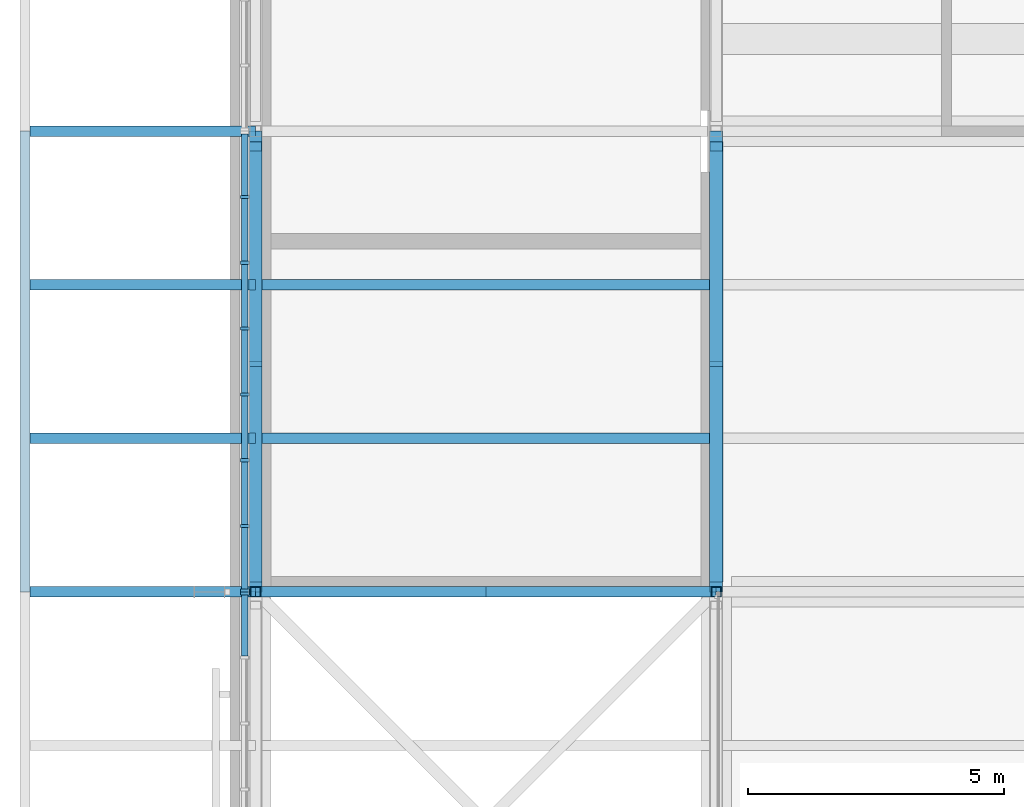
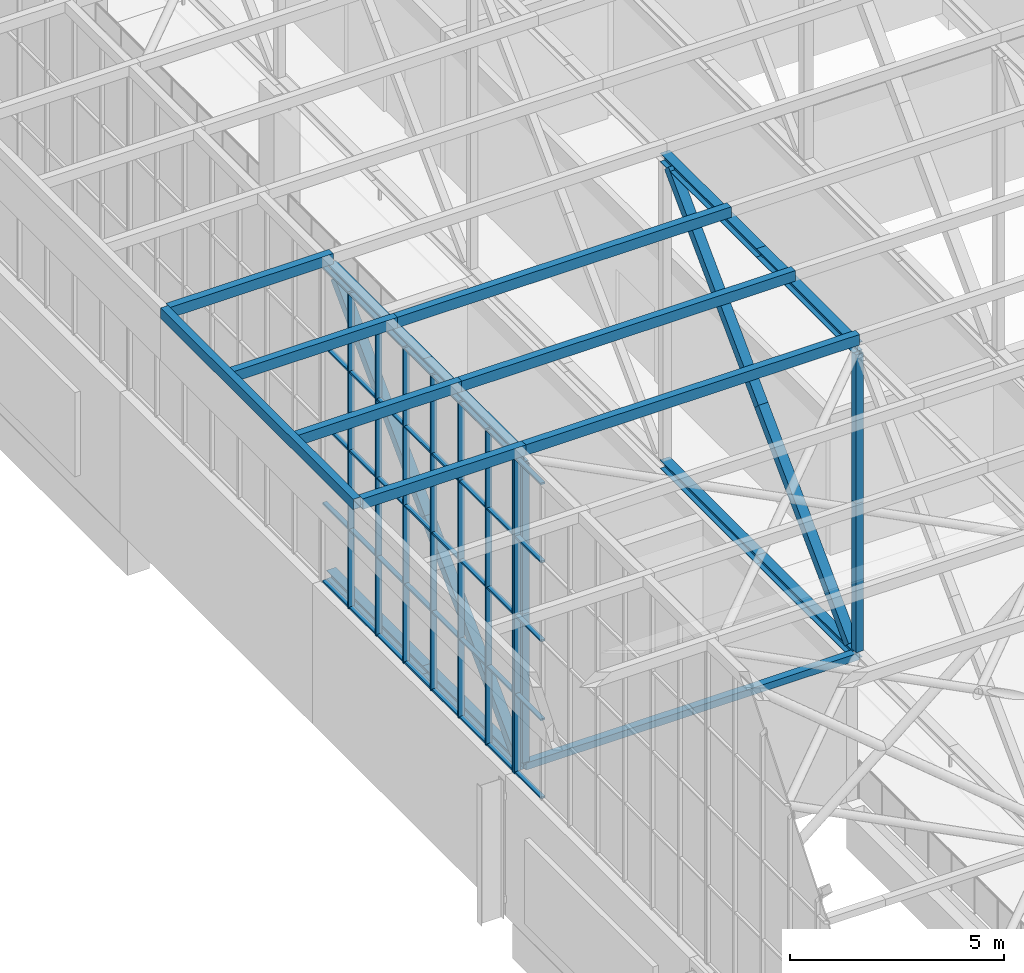
# One storey, part 53 of 646: 74 members, 2 elements without a shape of their own.
"""IFC4 building model written with IfcOpenShell, lengths in metres."""

from ifc_helpers import new_model, si_unit, direction, frame, origin, origin_2d, place, context, subcontext, project, spatial, rectangle, hollow_rectangle, i_section, extrude, material, material_profile, profile_set, type_object, element, aggregate, save


model = new_model("IFC4")

# Units and contexts
model_context = context("Model", 3, precision=1e-05, world=origin(), true_north=direction((0.0, 1.0)))
body_context = subcontext(model_context, "Body", "Model", "MODEL_VIEW")
ifc_project = project(units=[si_unit("LENGTHUNIT", "METRE"), si_unit("AREAUNIT", "SQUARE_METRE"), si_unit("VOLUMEUNIT", "CUBIC_METRE"), si_unit("PLANEANGLEUNIT", "RADIAN"), si_unit("MASSUNIT", "GRAM", prefix="KILO")], contexts=[model_context])

# Site, building, storey
site_placement = place(None, origin())
site = spatial("IfcSite", under=ifc_project, at=site_placement, CompositionType="ELEMENT")
building_placement = place(site_placement, origin())
building = spatial("IfcBuilding", under=site, at=building_placement, Name="Silverbay Arena", CompositionType="ELEMENT")
storey_placement = place(building_placement, frame((0.0, 0.0, 33.5)))
storey = spatial("IfcBuildingStorey", under=building, at=storey_placement, Name="L05", CompositionType="ELEMENT", Elevation=33.5)

# Members
ifc_material_1 = material(Name="Steel S355", Category="steel")
ifc_material_profile_1 = material_profile(ifc_material_1, hollow_rectangle(XDim=0.199951171875, YDim=0.199951171875, WallThickness=0.008056640625, at=origin_2d()), Name="SHS 200x200x8")
ifc_profile_set_1 = profile_set([ifc_material_profile_1], Name="Steel S355")
member_type_1 = type_object("IfcMemberType", Name="Bracing strut SHS 200x200x8", PredefinedType="STRUT", material=ifc_profile_set_1)
for number, where, z_axis, x_axis, name in (
    (1, (54.0, 90.0, 4.126953125), (1.0, 0.0, 0.0), (0.0, 1.0, 0.0), "ROOF BRACING strut 7-8 line 10a"),
    (2, (58.5, 90.0, 4.126953125), (1.0, 0.0, 0.0), (0.0, 1.0, 0.0), "ROOF BRACING strut 7-8 line 10b"),
):
    element("IfcMember", number, at=place(storey_placement, frame(where, z_axis=z_axis, x_axis=x_axis)), inside=storey, type_object=member_type_1, Name=name, PredefinedType="STRUT", context=body_context, shape_type="SweptSolid", body=[
        extrude(hollow_rectangle(XDim=0.199951171875, YDim=0.199951171875, WallThickness=0.008056640625, at=origin_2d()), origin(), (0.0, 0.0, 1.0), 4.5),
    ])

# Curtain wall, member
ifc_material_2 = material(Name="Aluminium framed glazing", Category="aluminium")
curtain_wall_type = type_object("IfcCurtainWallType", Name="Curtain wall clerestory 9000 x 9000", PredefinedType="NOTDEFINED", material=ifc_material_2)
curtain_wall_1_placement = place(storey_placement, origin())
curtain_wall_1 = element("IfcCurtainWall", 3, at=curtain_wall_1_placement, inside=storey, type_object=curtain_wall_type, Name="ROOF GABLE CLERESTORY CURTAIN WALL west bay 09", PredefinedType="NOTDEFINED")
ifc_material_3 = material(Name="Aluminium", Category="aluminium")
ifc_material_profile_2 = material_profile(ifc_material_3, rectangle(XDim=0.159912109375, YDim=0.06005859375, at=origin_2d()), Name="Mullion 60 x 160")
ifc_profile_set_2 = profile_set([ifc_material_profile_2], Name="Aluminium")
member_type_2 = type_object("IfcMemberType", Name="Mullion 60 x 160", PredefinedType="MULLION", material=ifc_profile_set_2)
member_1_placement = place(storey_placement, frame((53.7900390625, 89.969970703125, 4.0), z_axis=(0.0, 0.0, 1.0), x_axis=(-1.0, 0.0, 0.0)))
member_1 = element("IfcMember", 4, at=member_1_placement, type_object=member_type_2, Name="CW60 mullion 8", PredefinedType="MULLION", context=body_context, shape_type="SweptSolid", body=[
    extrude(rectangle(XDim=0.159912109375, YDim=0.06005859375, at=origin_2d()), origin(), (0.0, 0.0, 1.0), 9.0),
])

# Curtain wall, members
curtain_wall_2_placement = place(storey_placement, origin())
curtain_wall_2 = element("IfcCurtainWall", 5, at=curtain_wall_2_placement, inside=storey, type_object=curtain_wall_type, Name="ROOF GABLE CLERESTORY CURTAIN WALL west bay 10", PredefinedType="NOTDEFINED")
member_2_placement = place(storey_placement, frame((53.7900390625, 90.030029296875, 4.0), z_axis=(0.0, 0.0, 1.0), x_axis=(-1.0, 0.0, 0.0)))
member_2 = element("IfcMember", 6, at=member_2_placement, type_object=member_type_2, Name="CW60 mullion 1", PredefinedType="MULLION", context=body_context, shape_type="SweptSolid", body=[
    extrude(rectangle(XDim=0.159912109375, YDim=0.06005859375, at=origin_2d()), origin(), (0.0, 0.0, 1.0), 9.0),
])
member_3_placement = place(storey_placement, frame((53.7900390625, 91.28564453125, 4.0), z_axis=(0.0, 0.0, 1.0), x_axis=(-1.0, 0.0, 0.0)))
member_3 = element("IfcMember", 7, at=member_3_placement, type_object=member_type_2, Name="CW60 mullion 2", PredefinedType="MULLION", context=body_context, shape_type="SweptSolid", body=[
    extrude(rectangle(XDim=0.159912109375, YDim=0.06005859375, at=origin_2d()), origin(), (0.0, 0.0, 1.0), 9.0),
])
member_4_placement = place(storey_placement, frame((53.7900390625, 92.571533203125, 4.0), z_axis=(0.0, 0.0, 1.0), x_axis=(-1.0, 0.0, 0.0)))
member_4 = element("IfcMember", 8, at=member_4_placement, type_object=member_type_2, Name="CW60 mullion 3", PredefinedType="MULLION", context=body_context, shape_type="SweptSolid", body=[
    extrude(rectangle(XDim=0.159912109375, YDim=0.06005859375, at=origin_2d()), origin(), (0.0, 0.0, 1.0), 9.0),
])
member_5_placement = place(storey_placement, frame((53.7900390625, 93.857177734375, 4.0), z_axis=(0.0, 0.0, 1.0), x_axis=(-1.0, 0.0, 0.0)))
member_5 = element("IfcMember", 9, at=member_5_placement, type_object=member_type_2, Name="CW60 mullion 4", PredefinedType="MULLION", context=body_context, shape_type="SweptSolid", body=[
    extrude(rectangle(XDim=0.159912109375, YDim=0.06005859375, at=origin_2d()), origin(), (0.0, 0.0, 1.0), 9.0),
])
member_6_placement = place(storey_placement, frame((53.7900390625, 95.142822265625, 4.0), z_axis=(0.0, 0.0, 1.0), x_axis=(-1.0, 0.0, 0.0)))
member_6 = element("IfcMember", 10, at=member_6_placement, type_object=member_type_2, Name="CW60 mullion 5", PredefinedType="MULLION", context=body_context, shape_type="SweptSolid", body=[
    extrude(rectangle(XDim=0.159912109375, YDim=0.06005859375, at=origin_2d()), origin(), (0.0, 0.0, 1.0), 9.0),
])
member_7_placement = place(storey_placement, frame((53.7900390625, 96.428466796875, 4.0), z_axis=(0.0, 0.0, 1.0), x_axis=(-1.0, 0.0, 0.0)))
member_7 = element("IfcMember", 11, at=member_7_placement, type_object=member_type_2, Name="CW60 mullion 6", PredefinedType="MULLION", context=body_context, shape_type="SweptSolid", body=[
    extrude(rectangle(XDim=0.159912109375, YDim=0.06005859375, at=origin_2d()), origin(), (0.0, 0.0, 1.0), 9.0),
])
member_8_placement = place(storey_placement, frame((53.7900390625, 97.71435546875, 4.0), z_axis=(0.0, 0.0, 1.0), x_axis=(-1.0, 0.0, 0.0)))
member_8 = element("IfcMember", 12, at=member_8_placement, type_object=member_type_2, Name="CW60 mullion 7", PredefinedType="MULLION", context=body_context, shape_type="SweptSolid", body=[
    extrude(rectangle(XDim=0.159912109375, YDim=0.06005859375, at=origin_2d()), origin(), (0.0, 0.0, 1.0), 9.0),
])

# Members
ifc_material_4 = material(Name="Steel S355", Category="steel")
ifc_material_profile_3 = material_profile(ifc_material_4, hollow_rectangle(XDim=0.199951171875, YDim=0.300048828125, WallThickness=0.008056640625, at=origin_2d()), Name="RHS 300x200x8")
ifc_profile_set_3 = profile_set([ifc_material_profile_3], Name="Steel S355")
member_type_3 = type_object("IfcMemberType", Name="Purlin RHS 300x200x8", PredefinedType="PURLIN", material=ifc_profile_set_3)
for number, where, z_axis, x_axis, name in (
    (13, (54.0, 90.0, 13.14990234375), (1.0, 0.0, 0.0), (0.0, 1.0, 0.0), "ROOF PURLIN 7-8 line 28"),
    (14, (54.0, 93.0, 13.14990234375), (1.0, 0.0, 0.0), (0.0, 1.0, 0.0), "ROOF PURLIN 7-8 line 29"),
    (15, (54.0, 96.0, 13.14990234375), (1.0, 0.0, 0.0), (0.0, 1.0, 0.0), "ROOF PURLIN 7-8 line 30"),
):
    element("IfcMember", number, at=place(storey_placement, frame(where, z_axis=z_axis, x_axis=x_axis)), inside=storey, type_object=member_type_3, Name=name, PredefinedType="PURLIN", context=body_context, shape_type="SweptSolid", body=[
        extrude(hollow_rectangle(XDim=0.199951171875, YDim=0.300048828125, WallThickness=0.008056640625, at=origin_2d()), origin(), (0.0, 0.0, 1.0), 9.0),
    ])
for number, where, z_axis, x_axis, name in (
    (16, (49.60009765625, 90.0, 13.14990234375), (1.0, 0.0, 0.0), (0.0, 1.0, 0.0), "ROOF PURLIN west eave line 28"),
    (17, (49.60009765625, 93.0, 13.14990234375), (1.0, 0.0, 0.0), (0.0, 1.0, 0.0), "ROOF PURLIN west eave line 29"),
    (18, (49.60009765625, 96.0, 13.14990234375), (1.0, 0.0, 0.0), (0.0, 1.0, 0.0), "ROOF PURLIN west eave line 30"),
    (19, (49.60009765625, 99.0, 13.14990234375), (1.0, 0.0, 0.0), (0.0, 1.0, 0.0), "ROOF PURLIN west eave line 31"),
):
    element("IfcMember", number, at=place(storey_placement, frame(where, z_axis=z_axis, x_axis=x_axis)), inside=storey, type_object=member_type_3, Name=name, PredefinedType="PURLIN", context=body_context, shape_type="SweptSolid", body=[
        extrude(hollow_rectangle(XDim=0.199951171875, YDim=0.300048828125, WallThickness=0.008056640625, at=origin_2d()), origin(), (0.0, 0.0, 1.0), 4.39990234375),
    ])
member_9_placement = place(storey_placement, frame((49.5, 90.0, 13.14990234375), z_axis=(0.0, 1.0, 0.0), x_axis=(-1.0, 0.0, 0.0)))
element("IfcMember", 20, at=member_9_placement, inside=storey, type_object=member_type_3, Name="ROOF PURLIN west eave edge 10", PredefinedType="PURLIN", context=body_context, shape_type="SweptSolid", body=[
    extrude(hollow_rectangle(XDim=0.199951171875, YDim=0.300048828125, WallThickness=0.008056640625, at=origin_2d()), origin(), (0.0, 0.0, 1.0), 9.0),
])
ifc_material_5 = material(Name="Steel S355", Category="steel")
ifc_material_profile_4 = material_profile(ifc_material_5, i_section(OverallWidth=0.254638671875, OverallDepth=0.254150390625, WebThickness=0.008544921875, FlangeThickness=0.01416015625, at=origin_2d()), Name="UC 254x254x73")
ifc_profile_set_4 = profile_set([ifc_material_profile_4], Name="Steel S355")
member_type_4 = type_object("IfcMemberType", Name="Short-span bottom chord UC 254x254x73", PredefinedType="CHORD", material=ifc_profile_set_4)
for number, where, z_axis, x_axis, name in (
    (21, (54.0, 90.0, 4.126953125), (0.0, 1.0, 0.0), (-1.0, 0.0, 0.0), "ROOF TRUSS 7 bottom chord 10a"),
    (22, (54.0, 94.5, 4.126953125), (0.0, 1.0, 0.0), (-1.0, 0.0, 0.0), "ROOF TRUSS 7 bottom chord 10b"),
    (23, (63.0, 90.0, 4.126953125), (0.0, 1.0, 0.0), (-1.0, 0.0, 0.0), "ROOF TRUSS 8 bottom chord 10a"),
    (24, (63.0, 94.5, 4.126953125), (0.0, 1.0, 0.0), (-1.0, 0.0, 0.0), "ROOF TRUSS 8 bottom chord 10b"),
):
    element("IfcMember", number, at=place(storey_placement, frame(where, z_axis=z_axis, x_axis=x_axis)), inside=storey, type_object=member_type_4, Name=name, PredefinedType="CHORD", context=body_context, shape_type="SweptSolid", body=[
        extrude(i_section(OverallWidth=0.254638671875, OverallDepth=0.254150390625, WebThickness=0.008544921875, FlangeThickness=0.01416015625, at=origin_2d()), origin(), (0.0, 0.0, 1.0), 4.5),
    ])
ifc_material_6 = material(Name="Steel S355", Category="steel")
ifc_material_profile_5 = material_profile(ifc_material_6, i_section(OverallWidth=0.254638671875, OverallDepth=0.254150390625, WebThickness=0.008544921875, FlangeThickness=0.01416015625, at=origin_2d()), Name="UC 254x254x73")
ifc_profile_set_5 = profile_set([ifc_material_profile_5], Name="Steel S355")
member_type_5 = type_object("IfcMemberType", Name="Short-span top chord UC 254x254x73", PredefinedType="CHORD", material=ifc_profile_set_5)
for number, where, z_axis, x_axis, name in (
    (25, (54.0, 90.0, 12.873046875), (0.0, 1.0, 0.0), (-1.0, 0.0, 0.0), "ROOF TRUSS 7 top chord 10a"),
    (26, (54.0, 94.5, 12.873046875), (0.0, 1.0, 0.0), (-1.0, 0.0, 0.0), "ROOF TRUSS 7 top chord 10b"),
    (27, (63.0, 90.0, 12.873046875), (0.0, 1.0, 0.0), (-1.0, 0.0, 0.0), "ROOF TRUSS 8 top chord 10a"),
    (28, (63.0, 94.5, 12.873046875), (0.0, 1.0, 0.0), (-1.0, 0.0, 0.0), "ROOF TRUSS 8 top chord 10b"),
):
    element("IfcMember", number, at=place(storey_placement, frame(where, z_axis=z_axis, x_axis=x_axis)), inside=storey, type_object=member_type_5, Name=name, PredefinedType="CHORD", context=body_context, shape_type="SweptSolid", body=[
        extrude(i_section(OverallWidth=0.254638671875, OverallDepth=0.254150390625, WebThickness=0.008544921875, FlangeThickness=0.01416015625, at=origin_2d()), origin(), (0.0, 0.0, 1.0), 4.5),
    ])
ifc_material_7 = material(Name="Steel S355", Category="steel")
ifc_material_profile_6 = material_profile(ifc_material_7, hollow_rectangle(XDim=0.260009765625, YDim=0.260009765625, WallThickness=0.010009765625, at=origin_2d()), Name="SHS 260x260x10")
ifc_profile_set_6 = profile_set([ifc_material_profile_6], Name="Steel S355")
member_type_6 = type_object("IfcMemberType", Name="Short-span truss diagonal SHS 260x260x10", PredefinedType="BRACE", material=ifc_profile_set_6)
for number, where, z_axis, x_axis, name in (
    (29, (54.0, 98.70068359375, 12.745849609375), (0.0, -0.703728402193, -0.710469095701), (1.0, 0.0, 0.0), "ROOF TRUSS 7 diagonal 10a"),
    (30, (54.0, 94.4951171875, 8.5), (0.0, -0.703728402193, -0.710469095701), (1.0, 0.0, 0.0), "ROOF TRUSS 7 diagonal 10b"),
    (31, (63.0, 98.70068359375, 12.745849609375), (0.0, -0.703728402193, -0.710469095701), (1.0, 0.0, 0.0), "ROOF TRUSS 8 diagonal 10a"),
    (32, (63.0, 94.4951171875, 8.5), (0.0, -0.703728402193, -0.710469095701), (1.0, 0.0, 0.0), "ROOF TRUSS 8 diagonal 10b"),
):
    element("IfcMember", number, at=place(storey_placement, frame(where, z_axis=z_axis, x_axis=x_axis)), inside=storey, type_object=member_type_6, Name=name, PredefinedType="BRACE", context=body_context, shape_type="SweptSolid", body=[
        extrude(hollow_rectangle(XDim=0.260009765625, YDim=0.260009765625, WallThickness=0.010009765625, at=origin_2d()), origin(), (0.0, 0.0, 1.0), 5.97607421875),
    ])
ifc_material_8 = material(Name="Steel S355", Category="steel")
ifc_material_profile_7 = material_profile(ifc_material_8, hollow_rectangle(XDim=0.199951171875, YDim=0.199951171875, WallThickness=0.008056640625, at=origin_2d()), Name="SHS 200x200x8")
ifc_profile_set_7 = profile_set([ifc_material_profile_7], Name="Steel S355")
member_type_7 = type_object("IfcMemberType", Name="Short-span truss vertical SHS 200x200x8", PredefinedType="STRUT", material=ifc_profile_set_7)
for number, where, z_axis, x_axis, name in (
    (33, (54.0, 90.0, 4.254150390625), (0.0, 0.0, 1.0), (1.0, 0.0, 0.0), "ROOF TRUSS 7 vertical 10a"),
    (34, (54.0, 90.0, 8.5), (0.0, 0.0, 1.0), (1.0, 0.0, 0.0), "ROOF TRUSS 7 vertical 10b"),
    (35, (63.0, 90.0, 4.254150390625), (0.0, 0.0, 1.0), (1.0, 0.0, 0.0), "ROOF TRUSS 8 vertical 10a"),
    (36, (63.0, 90.0, 8.5), (0.0, 0.0, 1.0), (1.0, 0.0, 0.0), "ROOF TRUSS 8 vertical 10b"),
):
    element("IfcMember", number, at=place(storey_placement, frame(where, z_axis=z_axis, x_axis=x_axis)), inside=storey, type_object=member_type_7, Name=name, PredefinedType="STRUT", context=body_context, shape_type="SweptSolid", body=[
        extrude(hollow_rectangle(XDim=0.199951171875, YDim=0.199951171875, WallThickness=0.008056640625, at=origin_2d()), origin(), (0.0, 0.0, 1.0), 4.245849609375),
    ])

# Member
ifc_material_9 = material(Name="Aluminium", Category="aluminium")
ifc_material_profile_8 = material_profile(ifc_material_9, rectangle(XDim=0.1201171875, YDim=0.050048828125, at=origin_2d()), Name="Transom 50 x 120")
ifc_profile_set_8 = profile_set([ifc_material_profile_8], Name="Aluminium")
member_type_8 = type_object("IfcMemberType", Name="Transom 50 x 120", PredefinedType="USERDEFINED", material=ifc_profile_set_8)
member_10_placement = place(storey_placement, frame((53.7900390625, 88.744384765625, 4.02490234375), z_axis=(0.0, 1.0, 0.0), x_axis=(-1.0, 0.0, 0.0)))
member_10 = element("IfcMember", 37, at=member_10_placement, type_object=member_type_8, Name="CW60 transom 7.1", ObjectType="TRANSOM", PredefinedType="USERDEFINED", context=body_context, shape_type="SweptSolid", body=[
    extrude(rectangle(XDim=0.1201171875, YDim=0.050048828125, at=origin_2d()), origin(), (0.0, 0.0, 1.0), 1.195556640625),
])

member_11_placement = place(storey_placement, frame((53.7900390625, 88.744384765625, 6.25), z_axis=(0.0, 1.0, 0.0), x_axis=(-1.0, 0.0, 0.0)))
member_11 = element("IfcMember", 38, at=member_11_placement, type_object=member_type_8, Name="CW60 transom 7.2", ObjectType="TRANSOM", PredefinedType="USERDEFINED", context=body_context, shape_type="SweptSolid", body=[
    extrude(rectangle(XDim=0.1201171875, YDim=0.050048828125, at=origin_2d()), origin(), (0.0, 0.0, 1.0), 1.195556640625),
])

member_12_placement = place(storey_placement, frame((53.7900390625, 88.744384765625, 8.5), z_axis=(0.0, 1.0, 0.0), x_axis=(-1.0, 0.0, 0.0)))
member_12 = element("IfcMember", 39, at=member_12_placement, type_object=member_type_8, Name="CW60 transom 7.3", ObjectType="TRANSOM", PredefinedType="USERDEFINED", context=body_context, shape_type="SweptSolid", body=[
    extrude(rectangle(XDim=0.1201171875, YDim=0.050048828125, at=origin_2d()), origin(), (0.0, 0.0, 1.0), 1.195556640625),
])

member_13_placement = place(storey_placement, frame((53.7900390625, 88.744384765625, 10.75), z_axis=(0.0, 1.0, 0.0), x_axis=(-1.0, 0.0, 0.0)))
member_13 = element("IfcMember", 40, at=member_13_placement, type_object=member_type_8, Name="CW60 transom 7.4", ObjectType="TRANSOM", PredefinedType="USERDEFINED", context=body_context, shape_type="SweptSolid", body=[
    extrude(rectangle(XDim=0.1201171875, YDim=0.050048828125, at=origin_2d()), origin(), (0.0, 0.0, 1.0), 1.195556640625),
])

member_14_placement = place(storey_placement, frame((53.7900390625, 88.744384765625, 12.97509765625), z_axis=(0.0, 1.0, 0.0), x_axis=(-1.0, 0.0, 0.0)))
member_14 = element("IfcMember", 41, at=member_14_placement, type_object=member_type_8, Name="CW60 transom 7.5", ObjectType="TRANSOM", PredefinedType="USERDEFINED", context=body_context, shape_type="SweptSolid", body=[
    extrude(rectangle(XDim=0.1201171875, YDim=0.050048828125, at=origin_2d()), origin(), (0.0, 0.0, 1.0), 1.195556640625),
])

aggregate(curtain_wall_1, [member_1, member_10, member_11, member_12, member_13, member_14])

member_15_placement = place(storey_placement, frame((53.7900390625, 90.06005859375, 4.02490234375), z_axis=(0.0, 1.0, 0.0), x_axis=(-1.0, 0.0, 0.0)))
member_15 = element("IfcMember", 42, at=member_15_placement, type_object=member_type_8, Name="CW60 transom 1.1", ObjectType="TRANSOM", PredefinedType="USERDEFINED", context=body_context, shape_type="SweptSolid", body=[
    extrude(rectangle(XDim=0.1201171875, YDim=0.050048828125, at=origin_2d()), origin(), (0.0, 0.0, 1.0), 1.195556640625),
])

member_16_placement = place(storey_placement, frame((53.7900390625, 90.06005859375, 6.25), z_axis=(0.0, 1.0, 0.0), x_axis=(-1.0, 0.0, 0.0)))
member_16 = element("IfcMember", 43, at=member_16_placement, type_object=member_type_8, Name="CW60 transom 1.2", ObjectType="TRANSOM", PredefinedType="USERDEFINED", context=body_context, shape_type="SweptSolid", body=[
    extrude(rectangle(XDim=0.1201171875, YDim=0.050048828125, at=origin_2d()), origin(), (0.0, 0.0, 1.0), 1.195556640625),
])

member_17_placement = place(storey_placement, frame((53.7900390625, 90.06005859375, 8.5), z_axis=(0.0, 1.0, 0.0), x_axis=(-1.0, 0.0, 0.0)))
member_17 = element("IfcMember", 44, at=member_17_placement, type_object=member_type_8, Name="CW60 transom 1.3", ObjectType="TRANSOM", PredefinedType="USERDEFINED", context=body_context, shape_type="SweptSolid", body=[
    extrude(rectangle(XDim=0.1201171875, YDim=0.050048828125, at=origin_2d()), origin(), (0.0, 0.0, 1.0), 1.195556640625),
])

member_18_placement = place(storey_placement, frame((53.7900390625, 90.06005859375, 10.75), z_axis=(0.0, 1.0, 0.0), x_axis=(-1.0, 0.0, 0.0)))
member_18 = element("IfcMember", 45, at=member_18_placement, type_object=member_type_8, Name="CW60 transom 1.4", ObjectType="TRANSOM", PredefinedType="USERDEFINED", context=body_context, shape_type="SweptSolid", body=[
    extrude(rectangle(XDim=0.1201171875, YDim=0.050048828125, at=origin_2d()), origin(), (0.0, 0.0, 1.0), 1.195556640625),
])

member_19_placement = place(storey_placement, frame((53.7900390625, 90.06005859375, 12.97509765625), z_axis=(0.0, 1.0, 0.0), x_axis=(-1.0, 0.0, 0.0)))
member_19 = element("IfcMember", 46, at=member_19_placement, type_object=member_type_8, Name="CW60 transom 1.5", ObjectType="TRANSOM", PredefinedType="USERDEFINED", context=body_context, shape_type="SweptSolid", body=[
    extrude(rectangle(XDim=0.1201171875, YDim=0.050048828125, at=origin_2d()), origin(), (0.0, 0.0, 1.0), 1.195556640625),
])

member_20_placement = place(storey_placement, frame((53.7900390625, 91.315673828125, 4.02490234375), z_axis=(0.0, 1.0, 0.0), x_axis=(-1.0, 0.0, 0.0)))
member_20 = element("IfcMember", 47, at=member_20_placement, type_object=member_type_8, Name="CW60 transom 2.1", ObjectType="TRANSOM", PredefinedType="USERDEFINED", context=body_context, shape_type="SweptSolid", body=[
    extrude(rectangle(XDim=0.1201171875, YDim=0.050048828125, at=origin_2d()), origin(), (0.0, 0.0, 1.0), 1.225830078125),
])

member_21_placement = place(storey_placement, frame((53.7900390625, 91.315673828125, 6.25), z_axis=(0.0, 1.0, 0.0), x_axis=(-1.0, 0.0, 0.0)))
member_21 = element("IfcMember", 48, at=member_21_placement, type_object=member_type_8, Name="CW60 transom 2.2", ObjectType="TRANSOM", PredefinedType="USERDEFINED", context=body_context, shape_type="SweptSolid", body=[
    extrude(rectangle(XDim=0.1201171875, YDim=0.050048828125, at=origin_2d()), origin(), (0.0, 0.0, 1.0), 1.225830078125),
])

member_22_placement = place(storey_placement, frame((53.7900390625, 91.315673828125, 8.5), z_axis=(0.0, 1.0, 0.0), x_axis=(-1.0, 0.0, 0.0)))
member_22 = element("IfcMember", 49, at=member_22_placement, type_object=member_type_8, Name="CW60 transom 2.3", ObjectType="TRANSOM", PredefinedType="USERDEFINED", context=body_context, shape_type="SweptSolid", body=[
    extrude(rectangle(XDim=0.1201171875, YDim=0.050048828125, at=origin_2d()), origin(), (0.0, 0.0, 1.0), 1.225830078125),
])

member_23_placement = place(storey_placement, frame((53.7900390625, 91.315673828125, 10.75), z_axis=(0.0, 1.0, 0.0), x_axis=(-1.0, 0.0, 0.0)))
member_23 = element("IfcMember", 50, at=member_23_placement, type_object=member_type_8, Name="CW60 transom 2.4", ObjectType="TRANSOM", PredefinedType="USERDEFINED", context=body_context, shape_type="SweptSolid", body=[
    extrude(rectangle(XDim=0.1201171875, YDim=0.050048828125, at=origin_2d()), origin(), (0.0, 0.0, 1.0), 1.225830078125),
])

member_24_placement = place(storey_placement, frame((53.7900390625, 91.315673828125, 12.97509765625), z_axis=(0.0, 1.0, 0.0), x_axis=(-1.0, 0.0, 0.0)))
member_24 = element("IfcMember", 51, at=member_24_placement, type_object=member_type_8, Name="CW60 transom 2.5", ObjectType="TRANSOM", PredefinedType="USERDEFINED", context=body_context, shape_type="SweptSolid", body=[
    extrude(rectangle(XDim=0.1201171875, YDim=0.050048828125, at=origin_2d()), origin(), (0.0, 0.0, 1.0), 1.225830078125),
])

member_25_placement = place(storey_placement, frame((53.7900390625, 92.601318359375, 4.02490234375), z_axis=(0.0, 1.0, 0.0), x_axis=(-1.0, 0.0, 0.0)))
member_25 = element("IfcMember", 52, at=member_25_placement, type_object=member_type_8, Name="CW60 transom 3.1", ObjectType="TRANSOM", PredefinedType="USERDEFINED", context=body_context, shape_type="SweptSolid", body=[
    extrude(rectangle(XDim=0.1201171875, YDim=0.050048828125, at=origin_2d()), origin(), (0.0, 0.0, 1.0), 1.225830078125),
])

member_26_placement = place(storey_placement, frame((53.7900390625, 92.601318359375, 6.25), z_axis=(0.0, 1.0, 0.0), x_axis=(-1.0, 0.0, 0.0)))
member_26 = element("IfcMember", 53, at=member_26_placement, type_object=member_type_8, Name="CW60 transom 3.2", ObjectType="TRANSOM", PredefinedType="USERDEFINED", context=body_context, shape_type="SweptSolid", body=[
    extrude(rectangle(XDim=0.1201171875, YDim=0.050048828125, at=origin_2d()), origin(), (0.0, 0.0, 1.0), 1.225830078125),
])

member_27_placement = place(storey_placement, frame((53.7900390625, 92.601318359375, 8.5), z_axis=(0.0, 1.0, 0.0), x_axis=(-1.0, 0.0, 0.0)))
member_27 = element("IfcMember", 54, at=member_27_placement, type_object=member_type_8, Name="CW60 transom 3.3", ObjectType="TRANSOM", PredefinedType="USERDEFINED", context=body_context, shape_type="SweptSolid", body=[
    extrude(rectangle(XDim=0.1201171875, YDim=0.050048828125, at=origin_2d()), origin(), (0.0, 0.0, 1.0), 1.225830078125),
])

member_28_placement = place(storey_placement, frame((53.7900390625, 92.601318359375, 10.75), z_axis=(0.0, 1.0, 0.0), x_axis=(-1.0, 0.0, 0.0)))
member_28 = element("IfcMember", 55, at=member_28_placement, type_object=member_type_8, Name="CW60 transom 3.4", ObjectType="TRANSOM", PredefinedType="USERDEFINED", context=body_context, shape_type="SweptSolid", body=[
    extrude(rectangle(XDim=0.1201171875, YDim=0.050048828125, at=origin_2d()), origin(), (0.0, 0.0, 1.0), 1.225830078125),
])

member_29_placement = place(storey_placement, frame((53.7900390625, 92.601318359375, 12.97509765625), z_axis=(0.0, 1.0, 0.0), x_axis=(-1.0, 0.0, 0.0)))
member_29 = element("IfcMember", 56, at=member_29_placement, type_object=member_type_8, Name="CW60 transom 3.5", ObjectType="TRANSOM", PredefinedType="USERDEFINED", context=body_context, shape_type="SweptSolid", body=[
    extrude(rectangle(XDim=0.1201171875, YDim=0.050048828125, at=origin_2d()), origin(), (0.0, 0.0, 1.0), 1.225830078125),
])

member_30_placement = place(storey_placement, frame((53.7900390625, 93.88720703125, 4.02490234375), z_axis=(0.0, 1.0, 0.0), x_axis=(-1.0, 0.0, 0.0)))
member_30 = element("IfcMember", 57, at=member_30_placement, type_object=member_type_8, Name="CW60 transom 4.1", ObjectType="TRANSOM", PredefinedType="USERDEFINED", context=body_context, shape_type="SweptSolid", body=[
    extrude(rectangle(XDim=0.1201171875, YDim=0.050048828125, at=origin_2d()), origin(), (0.0, 0.0, 1.0), 1.2255859375),
])

member_31_placement = place(storey_placement, frame((53.7900390625, 93.88720703125, 6.25), z_axis=(0.0, 1.0, 0.0), x_axis=(-1.0, 0.0, 0.0)))
member_31 = element("IfcMember", 58, at=member_31_placement, type_object=member_type_8, Name="CW60 transom 4.2", ObjectType="TRANSOM", PredefinedType="USERDEFINED", context=body_context, shape_type="SweptSolid", body=[
    extrude(rectangle(XDim=0.1201171875, YDim=0.050048828125, at=origin_2d()), origin(), (0.0, 0.0, 1.0), 1.2255859375),
])

member_32_placement = place(storey_placement, frame((53.7900390625, 93.88720703125, 8.5), z_axis=(0.0, 1.0, 0.0), x_axis=(-1.0, 0.0, 0.0)))
member_32 = element("IfcMember", 59, at=member_32_placement, type_object=member_type_8, Name="CW60 transom 4.3", ObjectType="TRANSOM", PredefinedType="USERDEFINED", context=body_context, shape_type="SweptSolid", body=[
    extrude(rectangle(XDim=0.1201171875, YDim=0.050048828125, at=origin_2d()), origin(), (0.0, 0.0, 1.0), 1.2255859375),
])

member_33_placement = place(storey_placement, frame((53.7900390625, 93.88720703125, 10.75), z_axis=(0.0, 1.0, 0.0), x_axis=(-1.0, 0.0, 0.0)))
member_33 = element("IfcMember", 60, at=member_33_placement, type_object=member_type_8, Name="CW60 transom 4.4", ObjectType="TRANSOM", PredefinedType="USERDEFINED", context=body_context, shape_type="SweptSolid", body=[
    extrude(rectangle(XDim=0.1201171875, YDim=0.050048828125, at=origin_2d()), origin(), (0.0, 0.0, 1.0), 1.2255859375),
])

member_34_placement = place(storey_placement, frame((53.7900390625, 93.88720703125, 12.97509765625), z_axis=(0.0, 1.0, 0.0), x_axis=(-1.0, 0.0, 0.0)))
member_34 = element("IfcMember", 61, at=member_34_placement, type_object=member_type_8, Name="CW60 transom 4.5", ObjectType="TRANSOM", PredefinedType="USERDEFINED", context=body_context, shape_type="SweptSolid", body=[
    extrude(rectangle(XDim=0.1201171875, YDim=0.050048828125, at=origin_2d()), origin(), (0.0, 0.0, 1.0), 1.2255859375),
])

member_35_placement = place(storey_placement, frame((53.7900390625, 95.1728515625, 4.02490234375), z_axis=(0.0, 1.0, 0.0), x_axis=(-1.0, 0.0, 0.0)))
member_35 = element("IfcMember", 62, at=member_35_placement, type_object=member_type_8, Name="CW60 transom 5.1", ObjectType="TRANSOM", PredefinedType="USERDEFINED", context=body_context, shape_type="SweptSolid", body=[
    extrude(rectangle(XDim=0.1201171875, YDim=0.050048828125, at=origin_2d()), origin(), (0.0, 0.0, 1.0), 1.225830078125),
])

member_36_placement = place(storey_placement, frame((53.7900390625, 95.1728515625, 6.25), z_axis=(0.0, 1.0, 0.0), x_axis=(-1.0, 0.0, 0.0)))
member_36 = element("IfcMember", 63, at=member_36_placement, type_object=member_type_8, Name="CW60 transom 5.2", ObjectType="TRANSOM", PredefinedType="USERDEFINED", context=body_context, shape_type="SweptSolid", body=[
    extrude(rectangle(XDim=0.1201171875, YDim=0.050048828125, at=origin_2d()), origin(), (0.0, 0.0, 1.0), 1.225830078125),
])

member_37_placement = place(storey_placement, frame((53.7900390625, 95.1728515625, 8.5), z_axis=(0.0, 1.0, 0.0), x_axis=(-1.0, 0.0, 0.0)))
member_37 = element("IfcMember", 64, at=member_37_placement, type_object=member_type_8, Name="CW60 transom 5.3", ObjectType="TRANSOM", PredefinedType="USERDEFINED", context=body_context, shape_type="SweptSolid", body=[
    extrude(rectangle(XDim=0.1201171875, YDim=0.050048828125, at=origin_2d()), origin(), (0.0, 0.0, 1.0), 1.225830078125),
])

member_38_placement = place(storey_placement, frame((53.7900390625, 95.1728515625, 10.75), z_axis=(0.0, 1.0, 0.0), x_axis=(-1.0, 0.0, 0.0)))
member_38 = element("IfcMember", 65, at=member_38_placement, type_object=member_type_8, Name="CW60 transom 5.4", ObjectType="TRANSOM", PredefinedType="USERDEFINED", context=body_context, shape_type="SweptSolid", body=[
    extrude(rectangle(XDim=0.1201171875, YDim=0.050048828125, at=origin_2d()), origin(), (0.0, 0.0, 1.0), 1.225830078125),
])

member_39_placement = place(storey_placement, frame((53.7900390625, 95.1728515625, 12.97509765625), z_axis=(0.0, 1.0, 0.0), x_axis=(-1.0, 0.0, 0.0)))
member_39 = element("IfcMember", 66, at=member_39_placement, type_object=member_type_8, Name="CW60 transom 5.5", ObjectType="TRANSOM", PredefinedType="USERDEFINED", context=body_context, shape_type="SweptSolid", body=[
    extrude(rectangle(XDim=0.1201171875, YDim=0.050048828125, at=origin_2d()), origin(), (0.0, 0.0, 1.0), 1.225830078125),
])

member_40_placement = place(storey_placement, frame((53.7900390625, 96.45849609375, 4.02490234375), z_axis=(0.0, 1.0, 0.0), x_axis=(-1.0, 0.0, 0.0)))
member_40 = element("IfcMember", 67, at=member_40_placement, type_object=member_type_8, Name="CW60 transom 6.1", ObjectType="TRANSOM", PredefinedType="USERDEFINED", context=body_context, shape_type="SweptSolid", body=[
    extrude(rectangle(XDim=0.1201171875, YDim=0.050048828125, at=origin_2d()), origin(), (0.0, 0.0, 1.0), 1.225830078125),
])

member_41_placement = place(storey_placement, frame((53.7900390625, 96.45849609375, 6.25), z_axis=(0.0, 1.0, 0.0), x_axis=(-1.0, 0.0, 0.0)))
member_41 = element("IfcMember", 68, at=member_41_placement, type_object=member_type_8, Name="CW60 transom 6.2", ObjectType="TRANSOM", PredefinedType="USERDEFINED", context=body_context, shape_type="SweptSolid", body=[
    extrude(rectangle(XDim=0.1201171875, YDim=0.050048828125, at=origin_2d()), origin(), (0.0, 0.0, 1.0), 1.225830078125),
])

member_42_placement = place(storey_placement, frame((53.7900390625, 96.45849609375, 8.5), z_axis=(0.0, 1.0, 0.0), x_axis=(-1.0, 0.0, 0.0)))
member_42 = element("IfcMember", 69, at=member_42_placement, type_object=member_type_8, Name="CW60 transom 6.3", ObjectType="TRANSOM", PredefinedType="USERDEFINED", context=body_context, shape_type="SweptSolid", body=[
    extrude(rectangle(XDim=0.1201171875, YDim=0.050048828125, at=origin_2d()), origin(), (0.0, 0.0, 1.0), 1.225830078125),
])

member_43_placement = place(storey_placement, frame((53.7900390625, 96.45849609375, 10.75), z_axis=(0.0, 1.0, 0.0), x_axis=(-1.0, 0.0, 0.0)))
member_43 = element("IfcMember", 70, at=member_43_placement, type_object=member_type_8, Name="CW60 transom 6.4", ObjectType="TRANSOM", PredefinedType="USERDEFINED", context=body_context, shape_type="SweptSolid", body=[
    extrude(rectangle(XDim=0.1201171875, YDim=0.050048828125, at=origin_2d()), origin(), (0.0, 0.0, 1.0), 1.225830078125),
])

member_44_placement = place(storey_placement, frame((53.7900390625, 96.45849609375, 12.97509765625), z_axis=(0.0, 1.0, 0.0), x_axis=(-1.0, 0.0, 0.0)))
member_44 = element("IfcMember", 71, at=member_44_placement, type_object=member_type_8, Name="CW60 transom 6.5", ObjectType="TRANSOM", PredefinedType="USERDEFINED", context=body_context, shape_type="SweptSolid", body=[
    extrude(rectangle(XDim=0.1201171875, YDim=0.050048828125, at=origin_2d()), origin(), (0.0, 0.0, 1.0), 1.225830078125),
])

member_45_placement = place(storey_placement, frame((53.7900390625, 97.744384765625, 4.02490234375), z_axis=(0.0, 1.0, 0.0), x_axis=(-1.0, 0.0, 0.0)))
member_45 = element("IfcMember", 72, at=member_45_placement, type_object=member_type_8, Name="CW60 transom 7.1", ObjectType="TRANSOM", PredefinedType="USERDEFINED", context=body_context, shape_type="SweptSolid", body=[
    extrude(rectangle(XDim=0.1201171875, YDim=0.050048828125, at=origin_2d()), origin(), (0.0, 0.0, 1.0), 1.195556640625),
])

member_46_placement = place(storey_placement, frame((53.7900390625, 97.744384765625, 6.25), z_axis=(0.0, 1.0, 0.0), x_axis=(-1.0, 0.0, 0.0)))
member_46 = element("IfcMember", 73, at=member_46_placement, type_object=member_type_8, Name="CW60 transom 7.2", ObjectType="TRANSOM", PredefinedType="USERDEFINED", context=body_context, shape_type="SweptSolid", body=[
    extrude(rectangle(XDim=0.1201171875, YDim=0.050048828125, at=origin_2d()), origin(), (0.0, 0.0, 1.0), 1.195556640625),
])

member_47_placement = place(storey_placement, frame((53.7900390625, 97.744384765625, 8.5), z_axis=(0.0, 1.0, 0.0), x_axis=(-1.0, 0.0, 0.0)))
member_47 = element("IfcMember", 74, at=member_47_placement, type_object=member_type_8, Name="CW60 transom 7.3", ObjectType="TRANSOM", PredefinedType="USERDEFINED", context=body_context, shape_type="SweptSolid", body=[
    extrude(rectangle(XDim=0.1201171875, YDim=0.050048828125, at=origin_2d()), origin(), (0.0, 0.0, 1.0), 1.195556640625),
])

member_48_placement = place(storey_placement, frame((53.7900390625, 97.744384765625, 10.75), z_axis=(0.0, 1.0, 0.0), x_axis=(-1.0, 0.0, 0.0)))
member_48 = element("IfcMember", 75, at=member_48_placement, type_object=member_type_8, Name="CW60 transom 7.4", ObjectType="TRANSOM", PredefinedType="USERDEFINED", context=body_context, shape_type="SweptSolid", body=[
    extrude(rectangle(XDim=0.1201171875, YDim=0.050048828125, at=origin_2d()), origin(), (0.0, 0.0, 1.0), 1.195556640625),
])

member_49_placement = place(storey_placement, frame((53.7900390625, 97.744384765625, 12.97509765625), z_axis=(0.0, 1.0, 0.0), x_axis=(-1.0, 0.0, 0.0)))
member_49 = element("IfcMember", 76, at=member_49_placement, type_object=member_type_8, Name="CW60 transom 7.5", ObjectType="TRANSOM", PredefinedType="USERDEFINED", context=body_context, shape_type="SweptSolid", body=[
    extrude(rectangle(XDim=0.1201171875, YDim=0.050048828125, at=origin_2d()), origin(), (0.0, 0.0, 1.0), 1.195556640625),
])

aggregate(curtain_wall_2, [member_2, member_3, member_4, member_5, member_6, member_7, member_8, member_15, member_16, member_17, member_18, member_19, member_20, member_21, member_22, member_23, member_24, member_25, member_26, member_27, member_28, member_29, member_30, member_31, member_32, member_33, member_34, member_35, member_36, member_37, member_38, member_39, member_40, member_41, member_42, member_43, member_44, member_45, member_46, member_47, member_48, member_49])

save(model, "model.ifc")
